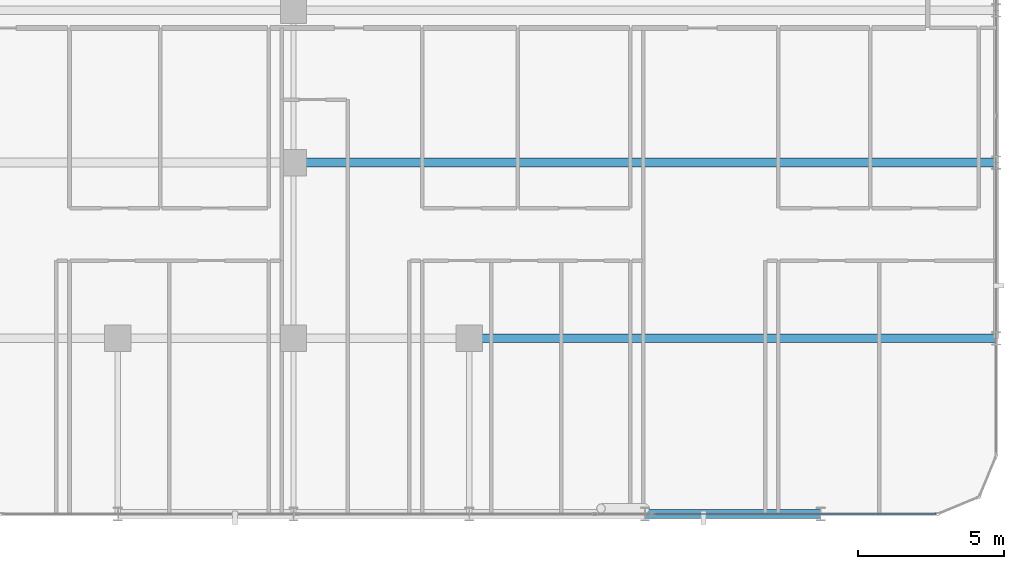
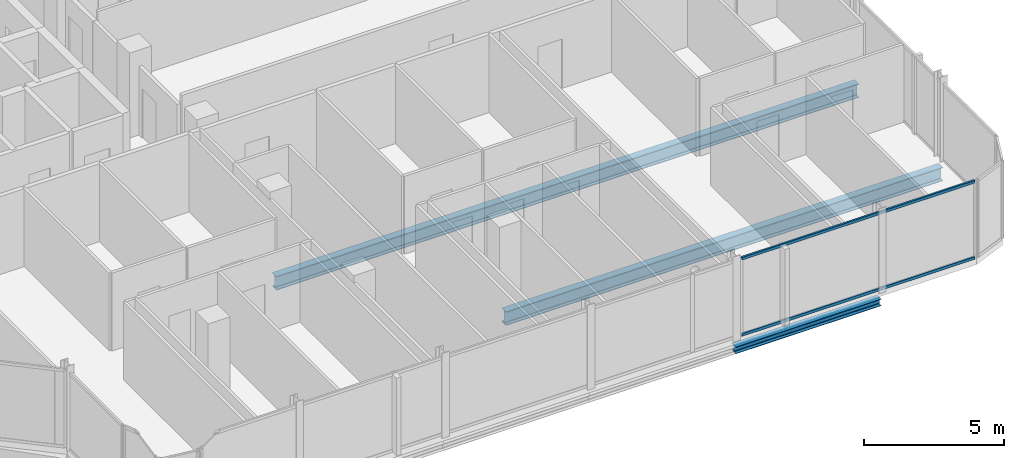
# One storey, part 11 of 29: 3 beams, 2 members, 1 element without a shape of its own.
"""IFC4 building model written with IfcOpenShell, lengths in metres."""

import ifcopenshell
import ifcopenshell.guid

model = None  # the IFC model being written
_history = None  # IfcOwnerHistory: only IFC2X3 demands one
_inside = {}  # id of a spatial element -> (the spatial element, [elements in it])
_under = {}  # id of a project, library or spatial element -> (it, [spatial elements below it])
_declared = {}  # id of a project -> (the project, [libraries it declares])
_typed = {}  # id of a type object -> (the type object, [elements of that type])
_made_of = {}  # id of a material, layer set ... -> (it, [elements and type objects made of it])


def new_model(schema):
    """Start an empty IFC model of exactly this schema.

    Asked for "IFC4X3", IfcOpenShell would pick the latest addendum, in which some entities
    have other attributes; the version numbers below select the first issue.
    IFC2X3 requires an IfcOwnerHistory on every rooted entity: one is made here for all.
    """
    global model, _history
    if schema == "IFC4X3":
        model = ifcopenshell.file(schema_version=(4, 3, 0, 0))
    else:
        model = ifcopenshell.file(schema=schema)
    _inside.clear()
    _under.clear()
    _declared.clear()
    _typed.clear()
    _made_of.clear()
    _history = None
    if model.schema == "IFC2X3":
        org = make("IfcOrganization", Name="unknown")
        user = make(
            "IfcPersonAndOrganization",
            ThePerson=make("IfcPerson", FamilyName="unknown"),
            TheOrganization=org,
        )
        app = make(
            "IfcApplication",
            ApplicationDeveloper=org,
            Version="unknown",
            ApplicationFullName="unknown",
            ApplicationIdentifier="unknown",
        )
        _history = make(
            "IfcOwnerHistory",
            OwningUser=user,
            OwningApplication=app,
            ChangeAction="ADDED",
            CreationDate=0,
        )
    return model


def make(cls, **values):
    """One entity of the class cls with the attributes given. An attribute that is None is left unset."""
    return model.create_entity(
        cls, **{name: value for name, value in values.items() if value is not None}
    )


def rooted(cls, **values):
    """An entity with a GlobalId (a new one), such as an element, a storey or a relation."""
    return make(cls, GlobalId=ifcopenshell.guid.new(), OwnerHistory=_history, **values)


def si_unit(unit_type, name, prefix=None):
    """IfcSIUnit, for example si_unit("LENGTHUNIT", "METRE", prefix="MILLI")."""
    return make("IfcSIUnit", UnitType=unit_type, Prefix=prefix, Name=name)


def assignment(units):
    """IfcUnitAssignment: the units of a project."""
    return None if units is None else make("IfcUnitAssignment", Units=units)


def point(xyz):
    """IfcCartesianPoint."""
    return None if xyz is None else make("IfcCartesianPoint", Coordinates=xyz)


def direction(xyz):
    """IfcDirection."""
    return None if xyz is None else make("IfcDirection", DirectionRatios=xyz)


def frame(location, z_axis=None, x_axis=None):
    """IfcAxis2Placement3D, a coordinate frame: its origin and axes. An axis left out is left unset."""
    return make(
        "IfcAxis2Placement3D",
        Location=point(location),
        Axis=direction(z_axis),
        RefDirection=direction(x_axis),
    )


def frame_2d(location, x_axis=None):
    """IfcAxis2Placement2D, a coordinate frame in the plane: its origin and x axis."""
    return make(
        "IfcAxis2Placement2D", Location=point(location), RefDirection=direction(x_axis)
    )


def origin():
    """The frame at (0, 0, 0) with its axes left unset."""
    return frame((0.0, 0.0, 0.0))


def origin_2d():
    """The frame at (0, 0) in the plane with its x axis left unset."""
    return frame_2d((0.0, 0.0))


def place(relative_to, where):
    """IfcLocalPlacement: puts the frame where relative to a parent placement (None: the world)."""
    return make(
        "IfcLocalPlacement", PlacementRelTo=relative_to, RelativePlacement=where
    )


def context(
    kind, dimensions, precision=None, world=None, true_north=None, identifier=None
):
    """IfcGeometricRepresentationContext, for example the 3D "Model" context."""
    return make(
        "IfcGeometricRepresentationContext",
        ContextIdentifier=identifier,
        ContextType=kind,
        CoordinateSpaceDimension=dimensions,
        Precision=precision,
        WorldCoordinateSystem=world,
        TrueNorth=true_north,
    )


def subcontext(parent, identifier, kind, view, scale=None):
    """IfcGeometricRepresentationSubContext, for example "Body" below "Model"."""
    return make(
        "IfcGeometricRepresentationSubContext",
        ContextIdentifier=identifier,
        ContextType=kind,
        ParentContext=parent,
        TargetScale=scale,
        TargetView=view,
    )


def project(units=None, contexts=None):
    """IfcProject with its units and contexts."""
    return rooted(
        "IfcProject",
        Name="project",
        RepresentationContexts=contexts,
        UnitsInContext=assignment(units),
    )


def spatial(cls, under=None, at=None, **own):
    """A site, building, storey or space (cls), placed at a placement, below another one or the project."""
    s = rooted(cls, ObjectPlacement=at, **own)
    if under is not None:
        _under.setdefault(under.id(), (under, []))[1].append(s)
    return s


def profile(cls, at=None, kind="AREA", **sizes):
    """A parametric profile (cls). Its sizes go by their IFC names, for example OverallWidth=200.0."""
    return make(cls, ProfileType=kind, Position=at, **sizes)


def hollow_rectangle(**sizes):
    """IfcRectangleHollowProfileDef."""
    return profile("IfcRectangleHollowProfileDef", **sizes)


def i_section(**sizes):
    """IfcIShapeProfileDef."""
    return profile("IfcIShapeProfileDef", **sizes)


def extrude(swept, where, along, depth):
    """IfcExtrudedAreaSolid: the profile swept, set in the frame where, extruded along a direction by depth."""
    return make(
        "IfcExtrudedAreaSolid",
        SweptArea=swept,
        Position=where,
        ExtrudedDirection=direction(along),
        Depth=depth,
    )


def shape(context_of_items, identifier, shape_type, items):
    """IfcShapeRepresentation: the items that make up one representation, for example the "Body"."""
    return make(
        "IfcShapeRepresentation",
        ContextOfItems=context_of_items,
        RepresentationIdentifier=identifier,
        RepresentationType=shape_type,
        Items=items,
    )


def material(Name=None, Category=None):
    """IfcMaterial."""
    return make("IfcMaterial", Name=Name, Category=Category)


def layer(
    of_material, thickness, ventilated=None, Name=None, Category=None, Priority=None
):
    """IfcMaterialLayer: one layer of a wall or slab, of a material (None: an air gap)."""
    return make(
        "IfcMaterialLayer",
        Material=of_material,
        LayerThickness=thickness,
        IsVentilated=ventilated,
        Name=Name,
        Category=Category,
        Priority=Priority,
    )


def layer_set(layers, Name=None):
    """IfcMaterialLayerSet."""
    return make("IfcMaterialLayerSet", MaterialLayers=layers, LayerSetName=Name)


def material_profile(
    of_material, cross_section, Name=None, Category=None, Priority=None
):
    """IfcMaterialProfile: a cross section and its material."""
    return make(
        "IfcMaterialProfile",
        Name=Name,
        Material=of_material,
        Profile=cross_section,
        Priority=Priority,
        Category=Category,
    )


def profile_set(profiles, Name=None, composite=None):
    """IfcMaterialProfileSet."""
    return make(
        "IfcMaterialProfileSet",
        Name=Name,
        MaterialProfiles=profiles,
        CompositeProfile=composite,
    )


def made_of(thing, what):
    """Note that an element or type object is made of a material, layer set ...; save() writes the relation."""
    if what is not None:
        _made_of.setdefault(what.id(), (what, []))[1].append(thing)
    return thing


def type_object(cls, material=None, **own):
    """A type object (cls), such as IfcWallType, which elements share."""
    return made_of(rooted(cls, **own), material)


def element(
    cls,
    number,
    at=None,
    inside=None,
    cuts=None,
    type_object=None,
    material=None,
    context=None,
    identifier="Body",
    shape_type=None,
    held_by="IfcProductDefinitionShape",
    body=None,
    shapes=None,
    **own,
):
    """One element of the class cls, such as IfcWall. Its Tag is "e" and its number.

    at: its placement. inside: the storey or other place that contains it. cuts: it is an
    opening in that element (IfcRelVoidsElement). A single representation is given by context,
    identifier, shape_type and body (its items); several are given by shapes. held_by: the class
    of the entity that holds the representations. save() writes the other relations.
    """
    e = rooted(cls, Tag="e%d" % number, ObjectPlacement=at, **own)
    if body is not None:
        shapes = [shape(context, identifier, shape_type, body)]
    if shapes is not None:
        e.Representation = make(held_by, Representations=shapes)
    if inside is not None:
        _inside.setdefault(inside.id(), (inside, []))[1].append(e)
    if cuts is not None:
        rooted(
            "IfcRelVoidsElement", RelatingBuildingElement=cuts, RelatedOpeningElement=e
        )
    if type_object is not None:
        _typed.setdefault(type_object.id(), (type_object, []))[1].append(e)
    return made_of(e, material)


def aggregate(whole, parts):
    """IfcRelAggregates: a whole, such as a stair, and the parts it consists of."""
    return rooted("IfcRelAggregates", RelatingObject=whole, RelatedObjects=parts)


def save(model, path):
    """Write the relations noted so far, then the file.

    IfcRelAggregates (storeys below a building ...), IfcRelContainedInSpatialStructure (elements
    in a storey), IfcRelDefinesByType, IfcRelAssociatesMaterial and IfcRelDeclares: one each for
    every whole, place, type object, material and project.
    """
    for whole, parts in _under.values():
        aggregate(whole, parts)
    for where, things in _inside.values():
        rooted(
            "IfcRelContainedInSpatialStructure",
            RelatedElements=things,
            RelatingStructure=where,
        )
    for kind, things in _typed.values():
        rooted("IfcRelDefinesByType", RelatedObjects=things, RelatingType=kind)
    for what, things in _made_of.values():
        rooted("IfcRelAssociatesMaterial", RelatedObjects=things, RelatingMaterial=what)
    for by, libraries in _declared.values():
        rooted("IfcRelDeclares", RelatingContext=by, RelatedDefinitions=libraries)
    model.write(path)


model = new_model("IFC4")

# Units and contexts
model_context = context("Model", 3, precision=1e-05, world=origin(), true_north=direction((0.0, 1.0)))
body_context = subcontext(model_context, "Body", "Model", "MODEL_VIEW")
ifc_project = project(units=[si_unit("LENGTHUNIT", "METRE"), si_unit("AREAUNIT", "SQUARE_METRE"), si_unit("VOLUMEUNIT", "CUBIC_METRE"), si_unit("PLANEANGLEUNIT", "RADIAN"), si_unit("MASSUNIT", "GRAM", prefix="KILO")], contexts=[model_context])

# Site, building, storey
site_placement = place(None, origin())
site = spatial("IfcSite", under=ifc_project, at=site_placement, CompositionType="ELEMENT")
building_placement = place(site_placement, origin())
building = spatial("IfcBuilding", under=site, at=building_placement, Name="Keshet Zoharim Tower", CompositionType="ELEMENT")
storey_placement = place(building_placement, frame((0.0, 0.0, 172.800048828125)))
storey = spatial("IfcBuildingStorey", under=building, at=storey_placement, Name="L42", CompositionType="ELEMENT", Elevation=172.800048828125)

# Beams
ifc_material_1 = material(Name="Steel S355", Category="steel")
ifc_material_profile_1 = material_profile(ifc_material_1, i_section(OverallWidth=0.300048828125, OverallDepth=0.60009765625, WebThickness=0.015380859375, FlangeThickness=0.030029296875, FilletRadius=0.027099609375, at=origin_2d()), Name="HEB600")
ifc_profile_set_1 = profile_set([ifc_material_profile_1], Name="Steel S355")
beam_type_1 = type_object("IfcBeamType", Name="BM-LNG-HB600", PredefinedType="BEAM", material=ifc_profile_set_1)
beam_1_placement = place(storey_placement, frame((39.0, 6.699951171875, -0.610107421875), z_axis=(1.0, 0.0, 0.0), x_axis=(0.0, 1.0, 0.0)))
element("IfcBeam", 1, at=beam_1_placement, inside=storey, type_object=beam_type_1, Name="L42 Primary Girder X-008", PredefinedType="BEAM", context=body_context, shape_type="SweptSolid", body=[
    extrude(i_section(OverallWidth=0.300048828125, OverallDepth=0.60009765625, WebThickness=0.015380859375, FlangeThickness=0.030029296875, FilletRadius=0.027099609375, at=origin_2d()), origin(), (0.0, 0.0, 1.0), 18.0),
])
beam_2_placement = place(storey_placement, frame((33.0, 12.699951171875, -0.610107421875), z_axis=(1.0, 0.0, 0.0), x_axis=(0.0, 1.0, 0.0)))
element("IfcBeam", 2, at=beam_2_placement, inside=storey, type_object=beam_type_1, Name="L42 Primary Girder X-010", PredefinedType="BEAM", context=body_context, shape_type="SweptSolid", body=[
    extrude(i_section(OverallWidth=0.300048828125, OverallDepth=0.60009765625, WebThickness=0.015380859375, FlangeThickness=0.030029296875, FilletRadius=0.027099609375, at=origin_2d()), origin(), (0.0, 0.0, 1.0), 24.0),
])
ifc_material_profile_2 = material_profile(ifc_material_1, i_section(OverallWidth=0.300048828125, OverallDepth=0.300048828125, WebThickness=0.010986328125, FlangeThickness=0.01904296875, FilletRadius=0.027099609375, at=origin_2d()), Name="HEB300")
ifc_profile_set_2 = profile_set([ifc_material_profile_2], Name="Steel S355")
beam_type_2 = type_object("IfcBeamType", Name="BM-PRI-HB300", PredefinedType="BEAM", material=ifc_profile_set_2)
beam_3_placement = place(storey_placement, frame((45.0, 0.699951171875, -0.4599609375), z_axis=(1.0, 0.0, 0.0), x_axis=(0.0, 1.0, 0.0)))
element("IfcBeam", 3, at=beam_3_placement, inside=storey, type_object=beam_type_2, Name="L42 Primary Girder X-004", PredefinedType="BEAM", context=body_context, shape_type="SweptSolid", body=[
    extrude(i_section(OverallWidth=0.300048828125, OverallDepth=0.300048828125, WebThickness=0.010986328125, FlangeThickness=0.01904296875, FilletRadius=0.027099609375, at=origin_2d()), origin(), (0.0, 0.0, 1.0), 6.0),
])

# Curtain wall, members
ifc_material_2 = material(Name="Aluminium 6063-T6", Category="aluminium")
ifc_layer = layer(ifc_material_2, 0.139892578125)
ifc_layer_set = layer_set([ifc_layer], Name="Aluminium 6063-T6")
curtain_wall_type = type_object("IfcCurtainWallType", Name="CW-SYS-05", PredefinedType="NOTDEFINED", material=ifc_layer_set)
curtain_wall_placement = place(storey_placement, origin())
curtain_wall = element("IfcCurtainWall", 4, at=curtain_wall_placement, inside=storey, type_object=curtain_wall_type, Name="L42 Unitised Curtain Wall 06", PredefinedType="NOTDEFINED")
ifc_material_profile_3 = material_profile(ifc_material_2, hollow_rectangle(XDim=0.074951171875, YDim=0.1201171875, WallThickness=0.00390625, at=origin_2d()), Name="TRN-75x120")
ifc_profile_set_3 = profile_set([ifc_material_profile_3], Name="Aluminium 6063-T6")
member_type = type_object("IfcMemberType", Name="CWT-T12", PredefinedType="USERDEFINED", material=ifc_profile_set_3)
member_1_placement = place(storey_placement, frame((54.929931640625, 0.699951171875, 0.034912109375), z_axis=(-1.0, 0.0, 0.0), x_axis=(0.0, -1.0, 0.0)))
member_1 = element("IfcMember", 5, at=member_1_placement, type_object=member_type, Name="CW-05 transom 1.1", ObjectType="TRANSOM", PredefinedType="USERDEFINED", context=body_context, shape_type="SweptSolid", body=[
    extrude(hollow_rectangle(XDim=0.074951171875, YDim=0.1201171875, WallThickness=0.00390625, at=origin_2d()), origin(), (0.0, 0.0, 1.0), 9.61181640625),
])
member_2_placement = place(storey_placement, frame((54.929931640625, 0.699951171875, 3.35498046875), z_axis=(-1.0, 0.0, 0.0), x_axis=(0.0, -1.0, 0.0)))
member_2 = element("IfcMember", 6, at=member_2_placement, type_object=member_type, Name="CW-05 transom 1.2", ObjectType="TRANSOM", PredefinedType="USERDEFINED", context=body_context, shape_type="SweptSolid", body=[
    extrude(hollow_rectangle(XDim=0.074951171875, YDim=0.1201171875, WallThickness=0.00390625, at=origin_2d()), origin(), (0.0, 0.0, 1.0), 9.61181640625),
])
aggregate(curtain_wall, [member_1, member_2])

save(model, "model.ifc")
